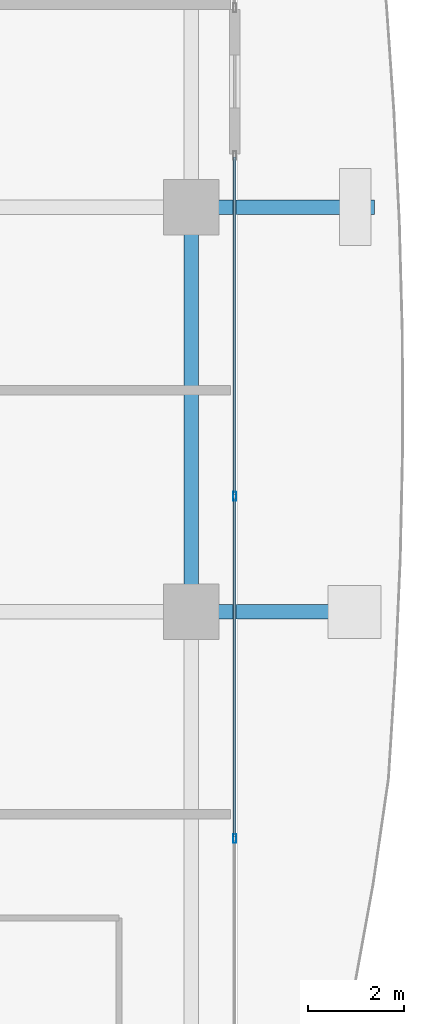
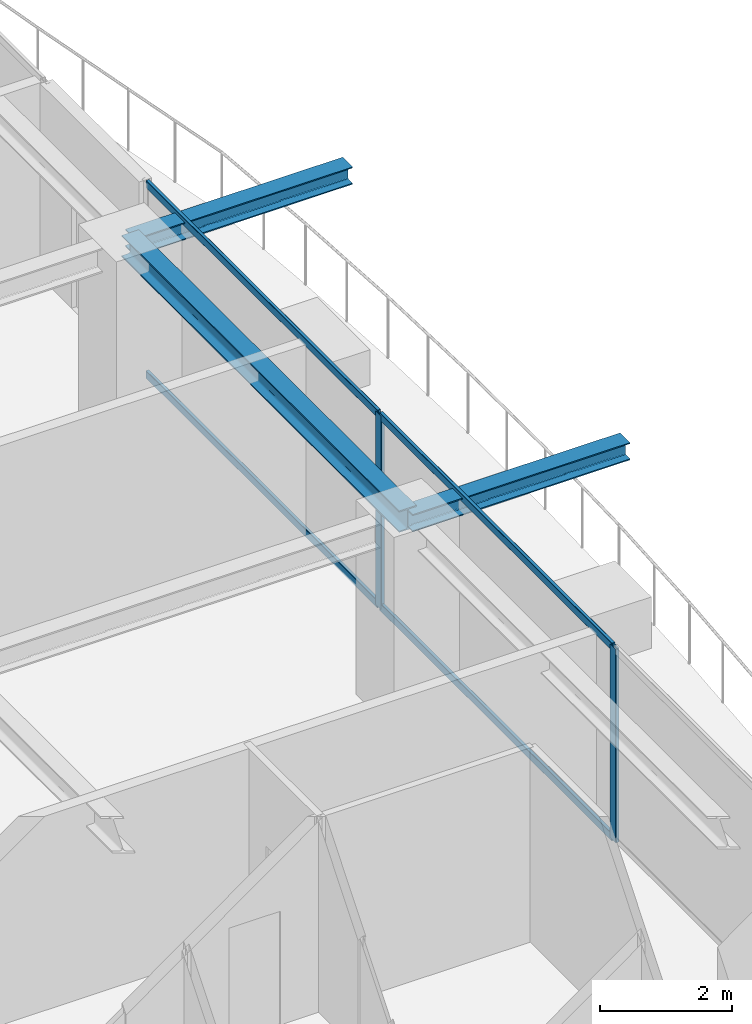
# One storey, part 15 of 37: 6 members, 3 beams, 1 element without a shape of its own.
"""IFC4 building model written with IfcOpenShell, lengths in metres."""

from ifc_helpers import new_model, si_unit, direction, frame, origin, origin_2d, place, context, subcontext, project, spatial, hollow_rectangle, i_section, extrude, source, transform, mapped, material, layer, layer_set, material_profile, profile_set, type_object, element, aggregate, save


model = new_model("IFC4")

# Units and contexts
model_context = context("Model", 3, precision=1e-05, world=origin(), true_north=direction((0.0, 1.0)))
body_context = subcontext(model_context, "Body", "Model", "MODEL_VIEW")
ifc_project = project(units=[si_unit("LENGTHUNIT", "METRE"), si_unit("AREAUNIT", "SQUARE_METRE"), si_unit("VOLUMEUNIT", "CUBIC_METRE"), si_unit("PLANEANGLEUNIT", "RADIAN"), si_unit("MASSUNIT", "GRAM", prefix="KILO")], contexts=[model_context])

# Site, building, storey
site_placement = place(None, origin())
site = spatial("IfcSite", under=ifc_project, at=site_placement, CompositionType="ELEMENT")
building_placement = place(site_placement, origin())
building = spatial("IfcBuilding", under=site, at=building_placement, Name="Serunith Strait Residences", CompositionType="ELEMENT")
storey_placement = place(building_placement, frame((0.0, 0.0, 260.5)))
storey = spatial("IfcBuildingStorey", under=building, at=storey_placement, Name="L65", CompositionType="ELEMENT", Elevation=260.5)

# Beams
ifc_material_1 = material(Name="Steel S355J2", Category="steel")
ifc_material_profile_1 = material_profile(ifc_material_1, i_section(OverallWidth=0.300048828125, OverallDepth=0.39990234375, WebThickness=0.013427734375, FlangeThickness=0.02392578125, FilletRadius=0.027099609375, at=origin_2d()), Name="HEB 400")
ifc_profile_set_1 = profile_set([ifc_material_profile_1], Name="Steel S355J2")
beam_type_1 = type_object("IfcBeamType", Name="BM-HEB400", PredefinedType="BEAM", material=ifc_profile_set_1)
shared_shape_1 = source(origin(), body_context, "Body", "SweptSolid", [
    extrude(i_section(OverallWidth=0.300048828125, OverallDepth=0.39990234375, WebThickness=0.013427734375, FlangeThickness=0.02392578125, FilletRadius=0.027099609375, at=origin_2d()), origin(), (0.0, 0.0, 1.0), 8.39990234375),
])
beam_placement = place(storey_placement, frame((56.5, 21.0, 3.386962890625), z_axis=(0.0, 1.0, 0.0), x_axis=(-1.0, 0.0, 0.0)))
element("IfcBeam", 1, at=beam_placement, inside=storey, type_object=beam_type_1, Name="L65 Perimeter Ring Beam 06", PredefinedType="BEAM", context=body_context, shape_type="MappedRepresentation", body=[
    mapped(shared_shape_1, transform((0.0, 0.0, 0.0), scale=1.0)),
])
ifc_material_profile_2 = material_profile(ifc_material_1, i_section(OverallWidth=0.300048828125, OverallDepth=0.320068359375, WebThickness=0.011474609375, FlangeThickness=0.0205078125, FilletRadius=0.027099609375, at=origin_2d()), Name="HEB 320")
ifc_profile_set_2 = profile_set([ifc_material_profile_2], Name="Steel S355J2")
beam_type_2 = type_object("IfcBeamType", Name="BM-HEB320", PredefinedType="BEAM", material=ifc_profile_set_2)
shared_shape_2 = source(origin(), body_context, "Body", "SweptSolid", [
    extrude(i_section(OverallWidth=0.300048828125, OverallDepth=0.320068359375, WebThickness=0.011474609375, FlangeThickness=0.0205078125, FilletRadius=0.027099609375, at=origin_2d()), origin(), (0.0, 0.0, 1.0), 3.800048828125),
])
for number, where, z_axis, x_axis, name in (
    (2, (56.5, 21.0, 3.39697265625), (1.0, 0.0, 0.0), (0.0, 1.0, 0.0), "L66 Cantilevered Balcony Rib TC-E2"),
    (3, (56.5, 29.39990234375, 3.39697265625), (1.0, 0.0, 0.0), (0.0, 1.0, 0.0), "L66 Cantilevered Balcony Rib TC-E3"),
):
    element("IfcBeam", number, at=place(storey_placement, frame(where, z_axis=z_axis, x_axis=x_axis)), inside=storey, type_object=beam_type_2, Name=name, PredefinedType="BEAM", context=body_context, shape_type="MappedRepresentation", body=[
        mapped(shared_shape_2, transform((0.0, 0.0, 0.0), scale=1.0)),
    ])

# Curtain wall, members
ifc_material_2 = material(Name="Pale-Champagne Anodised Aluminium", Category="aluminium")
ifc_layer = layer(ifc_material_2, 0.199951171875, Name="Pale-Champagne Anodised Aluminium")
ifc_layer_set = layer_set([ifc_layer], Name="Pale-Champagne Anodised Aluminium")
curtain_wall_type = type_object("IfcCurtainWallType", Name="CW-SYS4", PredefinedType="NOTDEFINED", material=ifc_layer_set)
curtain_wall_placement = place(storey_placement, origin())
curtain_wall = element("IfcCurtainWall", 4, at=curtain_wall_placement, inside=storey, type_object=curtain_wall_type, Name="L65 E Unitised Fritted Curtain Wall", PredefinedType="NOTDEFINED")
ifc_material_profile_3 = material_profile(ifc_material_2, hollow_rectangle(XDim=0.06494140625, YDim=0.179931640625, WallThickness=0.00341796875, InnerFilletRadius=0.00537109375, OuterFilletRadius=0.0087890625, at=origin_2d()), Name="ALU 180x65x3.5")
ifc_profile_set_3 = profile_set([ifc_material_profile_3], Name="Pale-Champagne Anodised Aluminium")
member_type_1 = type_object("IfcMemberType", Name="CW-SYS4-MULL", PredefinedType="MULLION", material=ifc_profile_set_3)
shared_shape_3 = source(origin(), body_context, "Body", "SweptSolid", [
    extrude(hollow_rectangle(XDim=0.06494140625, YDim=0.179931640625, WallThickness=0.00341796875, InnerFilletRadius=0.00537109375, OuterFilletRadius=0.0087890625, at=origin_2d()), origin(), (0.0, 0.0, 1.0), 3.574951171875),
])
member_1_placement = place(storey_placement, frame((57.39990234375, 16.300048828125, 0.0), z_axis=(0.0, 0.0, 1.0), x_axis=(-1.0, 0.0, 0.0)))
member_1 = element("IfcMember", 5, at=member_1_placement, type_object=member_type_1, Name="CW-4 mullion 2", PredefinedType="MULLION", context=body_context, shape_type="MappedRepresentation", body=[
    mapped(shared_shape_3, transform((0.0, 0.0, 0.0), scale=1.0)),
])
member_2_placement = place(storey_placement, frame((57.39990234375, 23.39990234375, 0.0), z_axis=(0.0, 0.0, 1.0), x_axis=(-1.0, 0.0, 0.0)))
member_2 = element("IfcMember", 6, at=member_2_placement, type_object=member_type_1, Name="CW-4 mullion 3", PredefinedType="MULLION", context=body_context, shape_type="MappedRepresentation", body=[
    mapped(shared_shape_3, transform((0.0, 0.0, 0.0), scale=1.0)),
])
ifc_material_profile_4 = material_profile(ifc_material_2, hollow_rectangle(XDim=0.06005859375, YDim=0.139892578125, WallThickness=0.00341796875, InnerFilletRadius=0.00537109375, OuterFilletRadius=0.0087890625, at=origin_2d()), Name="ALU 140x60x3.5")
ifc_profile_set_4 = profile_set([ifc_material_profile_4], Name="Pale-Champagne Anodised Aluminium")
member_type_2 = type_object("IfcMemberType", Name="CW-SYS4-TRAN", PredefinedType="USERDEFINED", material=ifc_profile_set_4)
shared_shape_4 = source(origin(), body_context, "Body", "SweptSolid", [
    extrude(hollow_rectangle(XDim=0.06005859375, YDim=0.139892578125, WallThickness=0.00341796875, InnerFilletRadius=0.00537109375, OuterFilletRadius=0.0087890625, at=origin_2d()), origin(), (0.0, 0.0, 1.0), 7.00244140625),
])
member_3_placement = place(storey_placement, frame((57.39990234375, 23.4326171875, 0.030029296875), z_axis=(0.0, 1.0, 0.0), x_axis=(-1.0, 0.0, 0.0)))
member_3 = element("IfcMember", 7, at=member_3_placement, type_object=member_type_2, Name="CW-4 transom 3.1", ObjectType="TRANSOM", PredefinedType="USERDEFINED", context=body_context, shape_type="MappedRepresentation", body=[
    mapped(shared_shape_4, transform((0.0, 0.0, 0.0), scale=1.0)),
])
member_4_placement = place(storey_placement, frame((57.39990234375, 23.4326171875, 3.544921875), z_axis=(0.0, 1.0, 0.0), x_axis=(-1.0, 0.0, 0.0)))
member_4 = element("IfcMember", 8, at=member_4_placement, type_object=member_type_2, Name="CW-4 transom 3.2", ObjectType="TRANSOM", PredefinedType="USERDEFINED", context=body_context, shape_type="MappedRepresentation", body=[
    mapped(shared_shape_4, transform((0.0, 0.0, 0.0), scale=1.0)),
])
shared_shape_5 = source(origin(), body_context, "Body", "SweptSolid", [
    extrude(hollow_rectangle(XDim=0.06005859375, YDim=0.139892578125, WallThickness=0.00341796875, InnerFilletRadius=0.00537109375, OuterFilletRadius=0.0087890625, at=origin_2d()), origin(), (0.0, 0.0, 1.0), 7.034912109375),
])
member_5_placement = place(storey_placement, frame((57.39990234375, 16.33251953125, 0.030029296875), z_axis=(0.0, 1.0, 0.0), x_axis=(-1.0, 0.0, 0.0)))
member_5 = element("IfcMember", 9, at=member_5_placement, type_object=member_type_2, Name="CW-4 transom 2.1", ObjectType="TRANSOM", PredefinedType="USERDEFINED", context=body_context, shape_type="MappedRepresentation", body=[
    mapped(shared_shape_5, transform((0.0, 0.0, 0.0), scale=1.0)),
])
member_6_placement = place(storey_placement, frame((57.39990234375, 16.33251953125, 3.544921875), z_axis=(0.0, 1.0, 0.0), x_axis=(-1.0, 0.0, 0.0)))
member_6 = element("IfcMember", 10, at=member_6_placement, type_object=member_type_2, Name="CW-4 transom 2.2", ObjectType="TRANSOM", PredefinedType="USERDEFINED", context=body_context, shape_type="MappedRepresentation", body=[
    mapped(shared_shape_5, transform((0.0, 0.0, 0.0), scale=1.0)),
])
aggregate(curtain_wall, [member_1, member_2, member_5, member_6, member_3, member_4])

save(model, "model.ifc")
